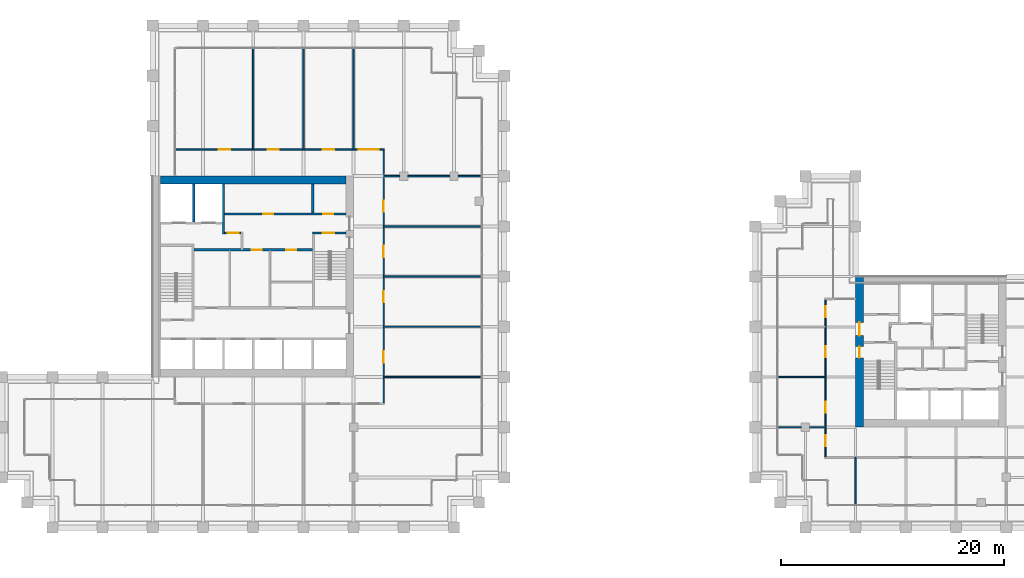
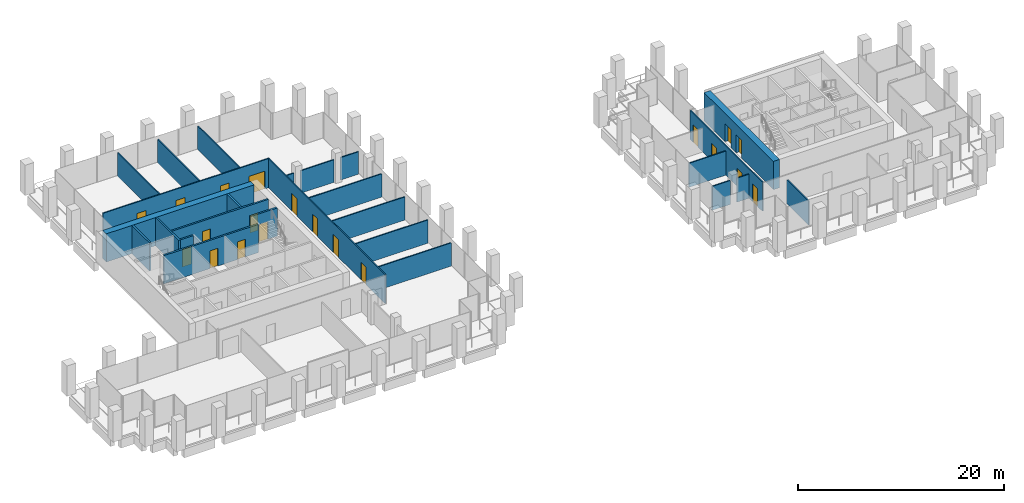
# One storey, part 42 of 47: 26 walls, 20 doors, 20 openings.
"""IFC4 building model written with IfcOpenShell, lengths in metres."""

from ifc_helpers import new_model, si_unit, direction, frame, frame_2d, origin, place, context, subcontext, project, spatial, rectangle, extrude, material, layer, layer_set, type_object, element, fill, save


model = new_model("IFC4")

# Units and contexts
model_context = context("Model", 3, precision=1e-05, world=origin(), true_north=direction((0.0, 1.0)))
body_context = subcontext(model_context, "Body", "Model", "MODEL_VIEW")
ifc_project = project(units=[si_unit("LENGTHUNIT", "METRE"), si_unit("AREAUNIT", "SQUARE_METRE"), si_unit("VOLUMEUNIT", "CUBIC_METRE"), si_unit("PLANEANGLEUNIT", "RADIAN"), si_unit("MASSUNIT", "GRAM", prefix="KILO")], contexts=[model_context])

# Site, building, storey
site_placement = place(None, origin())
site = spatial("IfcSite", under=ifc_project, at=site_placement, CompositionType="ELEMENT")
building_placement = place(site_placement, origin())
building = spatial("IfcBuilding", under=site, at=building_placement, Name="Altepetl Exchange Towers", CompositionType="ELEMENT")
storey_placement = place(building_placement, frame((0.0, 0.0, 95.60009765625)))
storey = spatial("IfcBuildingStorey", under=building, at=storey_placement, Name="L23", CompositionType="ELEMENT", Elevation=95.60009765625)

# Wall
ifc_material_1 = material(Name="Concrete C70/85", Category="concrete")
ifc_layer_1 = layer(ifc_material_1, 0.699951171875)
ifc_layer_set_1 = layer_set([ifc_layer_1], Name="Concrete C70/85")
wall_type_1 = type_object("IfcWallType", Name="Core wall 700 reinforced concrete", PredefinedType="SHEAR", material=ifc_layer_set_1)
wall_1_placement = place(storey_placement, frame((41.199951171875, 58.14990234375, 0.0)))
element("IfcWall", 1, at=wall_1_placement, inside=storey, type_object=wall_type_1, Name="wall:A:L23:K-coreN", PredefinedType="SHEAR", context=body_context, shape_type="SweptSolid", body=[
    extrude(rectangle(XDim=16.60009765625, YDim=0.699951171875, at=frame_2d((8.300048828125, 0.0))), origin(), (0.0, 0.0, 1.0), 3.349853515625),
])

# Wall, openings, doors
wall_2_placement = place(storey_placement, frame((103.85009765625, 36.0, 0.0), z_axis=(0.0, 0.0, 1.0), x_axis=(0.0, 1.0, 0.0)))
wall_2 = element("IfcWall", 2, at=wall_2_placement, inside=storey, type_object=wall_type_1, Name="wall:B:L23:K-coreW", PredefinedType="SHEAR", context=body_context, shape_type="SweptSolid", body=[
    extrude(rectangle(XDim=13.5, YDim=0.699951171875, at=frame_2d((6.75, 0.0))), origin(), (0.0, 0.0, 1.0), 3.349853515625),
])
opening_1_placement = place(wall_2_placement, frame((8.199951171875, 0.0, 0.0)))
opening_1 = element("IfcOpeningElement", 3, at=opening_1_placement, cuts=wall_2, Name="Opening L23.B60", PredefinedType="OPENING", context=body_context, shape_type="SweptSolid", body=[
    extrude(rectangle(XDim=1.199951171875, YDim=2.10009765625, at=frame_2d((0.60009765625, 1.050048828125))), frame((0.0, 0.35986328125, 0.0), z_axis=(0.0, -1.0, 0.0), x_axis=(1.0, 0.0, 0.0)), (0.0, 0.0, 1.0), 0.719970703125),
])
opening_2_placement = place(wall_2_placement, frame((6.22509765625, 0.0, 0.0)))
opening_2 = element("IfcOpeningElement", 4, at=opening_2_placement, cuts=wall_2, Name="Opening L23.B63", PredefinedType="OPENING", context=body_context, shape_type="SweptSolid", body=[
    extrude(rectangle(XDim=1.0, YDim=2.10009765625, at=frame_2d((0.5, 1.050048828125))), frame((0.0, 0.35986328125, 0.0), z_axis=(0.0, -1.0, 0.0), x_axis=(1.0, 0.0, 0.0)), (0.0, 0.0, 1.0), 0.719970703125),
])
ifc_material_2 = material(Name="Steel and timber fire door", Category="steel")
door_type_1 = type_object("IfcDoorType", Name="Fire door 1000 x 2100 stair and lobby", OperationType="SINGLE_SWING_LEFT", PredefinedType="DOOR", material=ifc_material_2)
door_1_placement = place(opening_2_placement, frame((1.0, 0.0, 0.0), x_axis=(-1.0, 0.0, 0.0)))
door_1 = element("IfcDoor", 5, at=door_1_placement, inside=storey, type_object=door_type_1, Name="door:B:L23:K-dS1x", OperationType="SINGLE_SWING_RIGHT", OverallHeight=2.10009765625, OverallWidth=1.0, PredefinedType="DOOR", context=body_context, shape_type="SweptSolid", body=[
    extrude(rectangle(XDim=1.0, YDim=2.10009765625, at=frame_2d((0.5, 1.050048828125))), frame((0.0, 0.02490234375, 0.0), z_axis=(0.0, -1.0, 0.0), x_axis=(1.0, 0.0, 0.0)), (0.0, 0.0, 1.0), 0.050048828125),
])
fill(opening_2, door_1)
door_type_2 = type_object("IfcDoorType", Name="Fire door 1200 x 2100 lobby entry", OperationType="SINGLE_SWING_LEFT", PredefinedType="DOOR", material=ifc_material_2)
door_2_placement = place(opening_1_placement, frame((1.199951171875, 0.0, 0.0), x_axis=(-1.0, 0.0, 0.0)))
door_2 = element("IfcDoor", 6, at=door_2_placement, inside=storey, type_object=door_type_2, Name="door:B:L23:K-dLNW", OperationType="SINGLE_SWING_RIGHT", OverallHeight=2.10009765625, OverallWidth=1.199951171875, PredefinedType="DOOR", context=body_context, shape_type="SweptSolid", body=[
    extrude(rectangle(XDim=1.199951171875, YDim=2.10009765625, at=frame_2d((0.60009765625, 1.050048828125))), frame((0.0, 0.02490234375, 0.0), z_axis=(0.0, -1.0, 0.0), x_axis=(1.0, 0.0, 0.0)), (0.0, 0.0, 1.0), 0.050048828125),
])
fill(opening_1, door_2)

# Wall, opening, door
ifc_material_3 = material(Name="Concrete blockwork", Category="masonry")
ifc_layer_2 = layer(ifc_material_3, 0.199951171875)
ifc_layer_set_2 = layer_set([ifc_layer_2], Name="Concrete blockwork")
wall_type_2 = type_object("IfcWallType", Name="Lobby wall 200 blockwork", PredefinedType="PARTITIONING", material=ifc_layer_set_2)
wall_3_placement = place(storey_placement, frame((46.933349609375, 53.39990234375, 0.0)))
wall_3 = element("IfcWall", 7, at=wall_3_placement, inside=storey, type_object=wall_type_2, Name="wall:A:L23:K-ffN", PredefinedType="PARTITIONING", context=body_context, shape_type="SweptSolid", body=[
    extrude(rectangle(XDim=1.466552734375, YDim=0.199951171875, at=frame_2d((0.7333984375, 0.0))), origin(), (0.0, 0.0, 1.0), 3.349853515625),
])
opening_3_placement = place(wall_3_placement, frame((0.2666015625, 0.0, 0.0)))
opening_3 = element("IfcOpeningElement", 8, at=opening_3_placement, cuts=wall_3, Name="Opening L23.A65", PredefinedType="OPENING", context=body_context, shape_type="SweptSolid", body=[
    extrude(rectangle(XDim=1.0, YDim=2.10009765625, at=frame_2d((0.5, 1.050048828125))), frame((0.0, 0.10986328125, 0.0), z_axis=(0.0, -1.0, 0.0), x_axis=(1.0, 0.0, 0.0)), (0.0, 0.0, 1.0), 0.219970703125),
])
door_3_placement = place(opening_3_placement, frame((1.0, 0.0, 0.0), x_axis=(-1.0, 0.0, 0.0)))
door_3 = element("IfcDoor", 9, at=door_3_placement, inside=storey, type_object=door_type_1, Name="door:A:L23:K-dffN", OperationType="SINGLE_SWING_LEFT", OverallHeight=2.10009765625, OverallWidth=1.0, PredefinedType="DOOR", context=body_context, shape_type="SweptSolid", body=[
    extrude(rectangle(XDim=1.0, YDim=2.10009765625, at=frame_2d((0.5, 1.050048828125))), frame((0.0, 0.02490234375, 0.0), z_axis=(0.0, -1.0, 0.0), x_axis=(1.0, 0.0, 0.0)), (0.0, 0.0, 1.0), 0.050048828125),
])
fill(opening_3, door_3)

# Wall, openings, doors
wall_4_placement = place(storey_placement, frame((44.199951171875, 51.89990234375, 0.0)))
wall_4 = element("IfcWall", 10, at=wall_4_placement, inside=storey, type_object=wall_type_2, Name="wall:A:L23:K-zoneN", PredefinedType="PARTITIONING", context=body_context, shape_type="SweptSolid", body=[
    extrude(rectangle(XDim=10.60009765625, YDim=0.199951171875, at=frame_2d((5.300048828125, 0.0))), origin(), (0.0, 0.0, 1.0), 3.349853515625),
])
opening_4_placement = place(wall_4_placement, frame((5.175048828125, 0.0, 0.0)))
opening_4 = element("IfcOpeningElement", 11, at=opening_4_placement, cuts=wall_4, Name="Opening L23.A69", PredefinedType="OPENING", context=body_context, shape_type="SweptSolid", body=[
    extrude(rectangle(XDim=0.89990234375, YDim=2.10009765625, at=frame_2d((0.449951171875, 1.050048828125))), frame((0.0, 0.10986328125, 0.0), z_axis=(0.0, -1.0, 0.0), x_axis=(1.0, 0.0, 0.0)), (0.0, 0.0, 1.0), 0.219970703125),
])
opening_5_placement = place(wall_4_placement, frame((8.25, 0.0, 0.0)))
opening_5 = element("IfcOpeningElement", 12, at=opening_5_placement, cuts=wall_4, Name="Opening L23.A71", PredefinedType="OPENING", context=body_context, shape_type="SweptSolid", body=[
    extrude(rectangle(XDim=0.89990234375, YDim=2.10009765625, at=frame_2d((0.449951171875, 1.050048828125))), frame((0.0, 0.10986328125, 0.0), z_axis=(0.0, -1.0, 0.0), x_axis=(1.0, 0.0, 0.0)), (0.0, 0.0, 1.0), 0.219970703125),
])
door_type_3 = type_object("IfcDoorType", Name="Fire door 900 x 2100 service room", OperationType="SINGLE_SWING_LEFT", PredefinedType="DOOR", material=ifc_material_2)
door_4_placement = place(opening_4_placement, frame((0.89990234375, 0.0, 0.0), x_axis=(-1.0, 0.0, 0.0)))
door_4 = element("IfcDoor", 13, at=door_4_placement, inside=storey, type_object=door_type_3, Name="door:A:L23:K-dz2", OperationType="SINGLE_SWING_LEFT", OverallHeight=2.10009765625, OverallWidth=0.89990234375, PredefinedType="DOOR", context=body_context, shape_type="SweptSolid", body=[
    extrude(rectangle(XDim=0.89990234375, YDim=2.10009765625, at=frame_2d((0.449951171875, 1.050048828125))), frame((0.0, 0.02490234375, 0.0), z_axis=(0.0, -1.0, 0.0), x_axis=(1.0, 0.0, 0.0)), (0.0, 0.0, 1.0), 0.050048828125),
])
fill(opening_4, door_4)
door_5_placement = place(opening_5_placement, frame((0.89990234375, 0.0, 0.0), x_axis=(-1.0, 0.0, 0.0)))
door_5 = element("IfcDoor", 14, at=door_5_placement, inside=storey, type_object=door_type_3, Name="door:A:L23:K-dz4", OperationType="SINGLE_SWING_LEFT", OverallHeight=2.10009765625, OverallWidth=0.89990234375, PredefinedType="DOOR", context=body_context, shape_type="SweptSolid", body=[
    extrude(rectangle(XDim=0.89990234375, YDim=2.10009765625, at=frame_2d((0.449951171875, 1.050048828125))), frame((0.0, 0.02490234375, 0.0), z_axis=(0.0, -1.0, 0.0), x_axis=(1.0, 0.0, 0.0)), (0.0, 0.0, 1.0), 0.050048828125),
])
fill(opening_5, door_5)

# Walls
ifc_material_4 = material(Name="Timber panels on aluminium track", Category="wood")
ifc_layer_3 = layer(ifc_material_4, 0.125)
ifc_layer_set_3 = layer_set([ifc_layer_3], Name="Timber panels on aluminium track")
wall_type_3 = type_object("IfcWallType", Name="Operable acoustic partition 125", PredefinedType="MOVABLE", material=ifc_layer_set_3)
for number, where, name in (
    (15, (61.199951171875, 45.0, 0.0), "wall:A:L23:P03"),
    (16, (61.199951171875, 49.5, 0.0), "wall:A:L23:P04"),
    (17, (61.199951171875, 54.0, 0.0), "wall:A:L23:P05"),
):
    element("IfcWall", number, at=place(storey_placement, frame(where)), inside=storey, type_object=wall_type_3, Name=name, PredefinedType="MOVABLE", context=body_context, shape_type="SweptSolid", body=[
        extrude(rectangle(XDim=8.699951171875, YDim=0.125, at=frame_2d((4.35009765625, 0.0))), origin(), (0.0, 0.0, 1.0), 2.765869140625),
    ])
wall_5_placement = place(storey_placement, frame((96.60009765625, 40.5, 0.0)))
element("IfcWall", 18, at=wall_5_placement, inside=storey, type_object=wall_type_3, Name="wall:B:L23:P05", PredefinedType="MOVABLE", context=body_context, shape_type="SweptSolid", body=[
    extrude(rectangle(XDim=4.199951171875, YDim=0.125, at=frame_2d((2.10009765625, 0.0))), origin(), (0.0, 0.0, 1.0), 2.850830078125),
])
ifc_material_5 = material(Name="Gypsum board on steel studs", Category="steel")
ifc_layer_4 = layer(ifc_material_5, 0.125)
ifc_layer_set_4 = layer_set([ifc_layer_4], Name="Gypsum board on steel studs")
wall_type_4 = type_object("IfcWallType", Name="Partition 125 gypsum board on steel studs", PredefinedType="PARTITIONING", material=ifc_layer_set_4)
wall_6_placement = place(storey_placement, frame((61.199951171875, 40.5, 0.0)))
element("IfcWall", 19, at=wall_6_placement, inside=storey, type_object=wall_type_4, Name="wall:A:L23:P02", PredefinedType="PARTITIONING", context=body_context, shape_type="SweptSolid", body=[
    extrude(rectangle(XDim=8.699951171875, YDim=0.125, at=frame_2d((4.35009765625, 0.0))), origin(), (0.0, 0.0, 1.0), 2.765869140625),
])
wall_7_placement = place(storey_placement, frame((61.199951171875, 58.5, 0.0)))
element("IfcWall", 20, at=wall_7_placement, inside=storey, type_object=wall_type_4, Name="wall:A:L23:P06", PredefinedType="PARTITIONING", context=body_context, shape_type="SweptSolid", body=[
    extrude(rectangle(XDim=1.425048828125, YDim=0.125, at=frame_2d((0.71240234375, 0.0))), origin(), (0.0, 0.0, 1.0), 2.67578125),
])
wall_8_placement = place(storey_placement, frame((63.375, 58.5, 0.0)))
element("IfcWall", 21, at=wall_8_placement, inside=storey, type_object=wall_type_4, Name="wall:A:L23:P07", PredefinedType="PARTITIONING", context=body_context, shape_type="SweptSolid", body=[
    extrude(rectangle(XDim=3.75, YDim=0.125, at=frame_2d((1.875, 0.0))), origin(), (0.0, 0.0, 1.0), 2.67578125),
])
wall_9_placement = place(storey_placement, frame((67.875, 58.5, 0.0)))
element("IfcWall", 22, at=wall_9_placement, inside=storey, type_object=wall_type_4, Name="wall:A:L23:P08", PredefinedType="PARTITIONING", context=body_context, shape_type="SweptSolid", body=[
    extrude(rectangle(XDim=2.02490234375, YDim=0.125, at=frame_2d((1.012451171875, 0.0))), origin(), (0.0, 0.0, 1.0), 2.67578125),
])

# Wall, openings, doors
wall_10_placement = place(storey_placement, frame((42.60009765625, 60.89990234375, 0.0)))
wall_10 = element("IfcWall", 23, at=wall_10_placement, inside=storey, type_object=wall_type_4, Name="wall:A:L23:P09", PredefinedType="PARTITIONING", context=body_context, shape_type="SweptSolid", body=[
    extrude(rectangle(XDim=18.662353515625, YDim=0.125, at=frame_2d((9.3310546875, 0.0))), origin(), (0.0, 0.0, 1.0), 3.449951171875),
])
opening_6_placement = place(wall_10_placement, frame((16.35009765625, 0.0, 0.0)))
opening_6 = element("IfcOpeningElement", 24, at=opening_6_placement, cuts=wall_10, Name="Opening L23.A09", PredefinedType="OPENING", context=body_context, shape_type="SweptSolid", body=[
    extrude(rectangle(XDim=1.800048828125, YDim=2.10009765625, at=frame_2d((0.89990234375, 1.050048828125))), frame((0.0, 0.072509765625, 0.0), z_axis=(0.0, -1.0, 0.0), x_axis=(1.0, 0.0, 0.0)), (0.0, 0.0, 1.0), 0.14501953125),
])
opening_7_placement = place(wall_10_placement, frame((13.14990234375, 0.0, 0.0)))
opening_7 = element("IfcOpeningElement", 25, at=opening_7_placement, cuts=wall_10, Name="Opening L23.A10", PredefinedType="OPENING", context=body_context, shape_type="SweptSolid", body=[
    extrude(rectangle(XDim=1.0, YDim=2.10009765625, at=frame_2d((0.5, 1.050048828125))), frame((0.0, 0.072509765625, 0.0), z_axis=(0.0, -1.0, 0.0), x_axis=(1.0, 0.0, 0.0)), (0.0, 0.0, 1.0), 0.14501953125),
])
opening_8_placement = place(wall_10_placement, frame((8.195068359375, 0.0, 0.0)))
opening_8 = element("IfcOpeningElement", 26, at=opening_8_placement, cuts=wall_10, Name="Opening L23.A11", PredefinedType="OPENING", context=body_context, shape_type="SweptSolid", body=[
    extrude(rectangle(XDim=1.0, YDim=2.10009765625, at=frame_2d((0.5, 1.050048828125))), frame((0.0, 0.072509765625, 0.0), z_axis=(0.0, -1.0, 0.0), x_axis=(1.0, 0.0, 0.0)), (0.0, 0.0, 1.0), 0.14501953125),
])
opening_9_placement = place(wall_10_placement, frame((3.824951171875, 0.0, 0.0)))
opening_9 = element("IfcOpeningElement", 27, at=opening_9_placement, cuts=wall_10, Name="Opening L23.A12", PredefinedType="OPENING", context=body_context, shape_type="SweptSolid", body=[
    extrude(rectangle(XDim=1.0, YDim=2.10009765625, at=frame_2d((0.5, 1.050048828125))), frame((0.0, 0.072509765625, 0.0), z_axis=(0.0, -1.0, 0.0), x_axis=(1.0, 0.0, 0.0)), (0.0, 0.0, 1.0), 0.14501953125),
])
door_type_4 = type_object("IfcDoorType", Name="Fire door 1000 x 2100 single leaf", OperationType="SINGLE_SWING_LEFT", PredefinedType="DOOR", material=ifc_material_2)
door_6_placement = place(opening_7_placement, origin())
door_6 = element("IfcDoor", 28, at=door_6_placement, inside=storey, type_object=door_type_4, Name="door:A:L23:10", OperationType="SINGLE_SWING_LEFT", OverallHeight=2.10009765625, OverallWidth=1.0, PredefinedType="DOOR", context=body_context, shape_type="SweptSolid", body=[
    extrude(rectangle(XDim=1.0, YDim=2.10009765625, at=frame_2d((0.5, 1.050048828125))), frame((0.0, 0.02490234375, 0.0), z_axis=(0.0, -1.0, 0.0), x_axis=(1.0, 0.0, 0.0)), (0.0, 0.0, 1.0), 0.050048828125),
])
fill(opening_7, door_6)
door_7_placement = place(opening_8_placement, origin())
door_7 = element("IfcDoor", 29, at=door_7_placement, inside=storey, type_object=door_type_4, Name="door:A:L23:11", OperationType="SINGLE_SWING_RIGHT", OverallHeight=2.10009765625, OverallWidth=1.0, PredefinedType="DOOR", context=body_context, shape_type="SweptSolid", body=[
    extrude(rectangle(XDim=1.0, YDim=2.10009765625, at=frame_2d((0.5, 1.050048828125))), frame((0.0, 0.02490234375, 0.0), z_axis=(0.0, -1.0, 0.0), x_axis=(1.0, 0.0, 0.0)), (0.0, 0.0, 1.0), 0.050048828125),
])
fill(opening_8, door_7)
door_8_placement = place(opening_9_placement, origin())
door_8 = element("IfcDoor", 30, at=door_8_placement, inside=storey, type_object=door_type_4, Name="door:A:L23:12", OperationType="SINGLE_SWING_LEFT", OverallHeight=2.10009765625, OverallWidth=1.0, PredefinedType="DOOR", context=body_context, shape_type="SweptSolid", body=[
    extrude(rectangle(XDim=1.0, YDim=2.10009765625, at=frame_2d((0.5, 1.050048828125))), frame((0.0, 0.02490234375, 0.0), z_axis=(0.0, -1.0, 0.0), x_axis=(1.0, 0.0, 0.0)), (0.0, 0.0, 1.0), 0.050048828125),
])
fill(opening_9, door_8)
door_type_5 = type_object("IfcDoorType", Name="Fire door 1800 x 2100 double leaf", OperationType="DOUBLE_DOOR_SINGLE_SWING", PredefinedType="DOOR", material=ifc_material_2)
door_9_placement = place(opening_6_placement, origin())
door_9 = element("IfcDoor", 31, at=door_9_placement, inside=storey, type_object=door_type_5, Name="door:A:L23:09", OperationType="DOUBLE_DOOR_SINGLE_SWING", OverallHeight=2.10009765625, OverallWidth=1.800048828125, PredefinedType="DOOR", context=body_context, shape_type="SweptSolid", body=[
    extrude(rectangle(XDim=1.800048828125, YDim=2.10009765625, at=frame_2d((0.89990234375, 1.050048828125))), frame((0.0, 0.02490234375, 0.0), z_axis=(0.0, -1.0, 0.0), x_axis=(1.0, 0.0, 0.0)), (0.0, 0.0, 1.0), 0.050048828125),
])
fill(opening_6, door_9)

# Walls
for number, where, z_axis, x_axis, name in (
    (32, (49.5, 60.89990234375, 0.0), (0.0, 0.0, 1.0), (0.0, 1.0, 0.0), "wall:A:L23:P12"),
    (33, (54.0, 60.89990234375, 0.0), (0.0, 0.0, 1.0), (0.0, 1.0, 0.0), "wall:A:L23:P14"),
    (34, (58.5, 60.89990234375, 0.0), (0.0, 0.0, 1.0), (0.0, 1.0, 0.0), "wall:A:L23:P18"),
):
    element("IfcWall", number, at=place(storey_placement, frame(where, z_axis=z_axis, x_axis=x_axis)), inside=storey, type_object=wall_type_4, Name=name, PredefinedType="PARTITIONING", context=body_context, shape_type="SweptSolid", body=[
        extrude(rectangle(XDim=9.0, YDim=0.125, at=frame_2d((4.5, 0.0))), origin(), (0.0, 0.0, 1.0), 2.765869140625),
    ])

# Wall, openings, doors
wall_11_placement = place(storey_placement, frame((61.199951171875, 38.16259765625, 0.0), z_axis=(0.0, 0.0, 1.0), x_axis=(0.0, 1.0, 0.0)))
wall_11 = element("IfcWall", 35, at=wall_11_placement, inside=storey, type_object=wall_type_4, Name="wall:A:L23:P19", PredefinedType="PARTITIONING", context=body_context, shape_type="SweptSolid", body=[
    extrude(rectangle(XDim=22.6748046875, YDim=0.125, at=frame_2d((11.33740234375, 0.0))), origin(), (0.0, 0.0, 1.0), 3.449951171875),
])
opening_10_placement = place(wall_11_placement, frame((3.632568359375, 0.0, 0.0)))
opening_10 = element("IfcOpeningElement", 36, at=opening_10_placement, cuts=wall_11, Name="Opening L23.A05", PredefinedType="OPENING", context=body_context, shape_type="SweptSolid", body=[
    extrude(rectangle(XDim=1.0, YDim=2.10009765625, at=frame_2d((0.5, 1.050048828125))), frame((0.0, 0.072509765625, 0.0), z_axis=(0.0, -1.0, 0.0), x_axis=(1.0, 0.0, 0.0)), (0.0, 0.0, 1.0), 0.14501953125),
])
opening_11_placement = place(wall_11_placement, frame((9.04248046875, 0.0, 0.0)))
opening_11 = element("IfcOpeningElement", 37, at=opening_11_placement, cuts=wall_11, Name="Opening L23.A06", PredefinedType="OPENING", context=body_context, shape_type="SweptSolid", body=[
    extrude(rectangle(XDim=1.0, YDim=2.10009765625, at=frame_2d((0.5, 1.050048828125))), frame((0.0, 0.072509765625, 0.0), z_axis=(0.0, -1.0, 0.0), x_axis=(1.0, 0.0, 0.0)), (0.0, 0.0, 1.0), 0.14501953125),
])
opening_12_placement = place(wall_11_placement, frame((13.08740234375, 0.0, 0.0)))
opening_12 = element("IfcOpeningElement", 38, at=opening_12_placement, cuts=wall_11, Name="Opening L23.A07", PredefinedType="OPENING", context=body_context, shape_type="SweptSolid", body=[
    extrude(rectangle(XDim=1.0, YDim=2.10009765625, at=frame_2d((0.5, 1.050048828125))), frame((0.0, 0.072509765625, 0.0), z_axis=(0.0, -1.0, 0.0), x_axis=(1.0, 0.0, 0.0)), (0.0, 0.0, 1.0), 0.14501953125),
])
opening_13_placement = place(wall_11_placement, frame((17.132568359375, 0.0, 0.0)))
opening_13 = element("IfcOpeningElement", 39, at=opening_13_placement, cuts=wall_11, Name="Opening L23.A08", PredefinedType="OPENING", context=body_context, shape_type="SweptSolid", body=[
    extrude(rectangle(XDim=1.0, YDim=2.10009765625, at=frame_2d((0.5, 1.050048828125))), frame((0.0, 0.072509765625, 0.0), z_axis=(0.0, -1.0, 0.0), x_axis=(1.0, 0.0, 0.0)), (0.0, 0.0, 1.0), 0.14501953125),
])
door_10_placement = place(opening_10_placement, frame((1.0, 0.0, 0.0), x_axis=(-1.0, 0.0, 0.0)))
door_10 = element("IfcDoor", 40, at=door_10_placement, inside=storey, type_object=door_type_4, Name="door:A:L23:05", OperationType="SINGLE_SWING_LEFT", OverallHeight=2.10009765625, OverallWidth=1.0, PredefinedType="DOOR", context=body_context, shape_type="SweptSolid", body=[
    extrude(rectangle(XDim=1.0, YDim=2.10009765625, at=frame_2d((0.5, 1.050048828125))), frame((0.0, 0.02490234375, 0.0), z_axis=(0.0, -1.0, 0.0), x_axis=(1.0, 0.0, 0.0)), (0.0, 0.0, 1.0), 0.050048828125),
])
fill(opening_10, door_10)
door_11_placement = place(opening_11_placement, frame((1.0, 0.0, 0.0), x_axis=(-1.0, 0.0, 0.0)))
door_11 = element("IfcDoor", 41, at=door_11_placement, inside=storey, type_object=door_type_4, Name="door:A:L23:06", OperationType="SINGLE_SWING_RIGHT", OverallHeight=2.10009765625, OverallWidth=1.0, PredefinedType="DOOR", context=body_context, shape_type="SweptSolid", body=[
    extrude(rectangle(XDim=1.0, YDim=2.10009765625, at=frame_2d((0.5, 1.050048828125))), frame((0.0, 0.02490234375, 0.0), z_axis=(0.0, -1.0, 0.0), x_axis=(1.0, 0.0, 0.0)), (0.0, 0.0, 1.0), 0.050048828125),
])
fill(opening_11, door_11)
door_12_placement = place(opening_12_placement, frame((1.0, 0.0, 0.0), x_axis=(-1.0, 0.0, 0.0)))
door_12 = element("IfcDoor", 42, at=door_12_placement, inside=storey, type_object=door_type_4, Name="door:A:L23:07", OperationType="SINGLE_SWING_LEFT", OverallHeight=2.10009765625, OverallWidth=1.0, PredefinedType="DOOR", context=body_context, shape_type="SweptSolid", body=[
    extrude(rectangle(XDim=1.0, YDim=2.10009765625, at=frame_2d((0.5, 1.050048828125))), frame((0.0, 0.02490234375, 0.0), z_axis=(0.0, -1.0, 0.0), x_axis=(1.0, 0.0, 0.0)), (0.0, 0.0, 1.0), 0.050048828125),
])
fill(opening_12, door_12)
door_13_placement = place(opening_13_placement, frame((1.0, 0.0, 0.0), x_axis=(-1.0, 0.0, 0.0)))
door_13 = element("IfcDoor", 43, at=door_13_placement, inside=storey, type_object=door_type_4, Name="door:A:L23:08", OperationType="SINGLE_SWING_RIGHT", OverallHeight=2.10009765625, OverallWidth=1.0, PredefinedType="DOOR", context=body_context, shape_type="SweptSolid", body=[
    extrude(rectangle(XDim=1.0, YDim=2.10009765625, at=frame_2d((0.5, 1.050048828125))), frame((0.0, 0.02490234375, 0.0), z_axis=(0.0, -1.0, 0.0), x_axis=(1.0, 0.0, 0.0)), (0.0, 0.0, 1.0), 0.050048828125),
])
fill(opening_13, door_13)

# Walls
wall_12_placement = place(storey_placement, frame((96.60009765625, 36.0, 0.0)))
element("IfcWall", 44, at=wall_12_placement, inside=storey, type_object=wall_type_4, Name="wall:B:L23:P02", PredefinedType="PARTITIONING", context=body_context, shape_type="SweptSolid", body=[
    extrude(rectangle(XDim=2.02490234375, YDim=0.125, at=frame_2d((1.012451171875, 0.0))), origin(), (0.0, 0.0, 1.0), 2.841796875),
])
wall_13_placement = place(storey_placement, frame((99.375, 36.0, 0.0)))
element("IfcWall", 45, at=wall_13_placement, inside=storey, type_object=wall_type_4, Name="wall:B:L23:P03", PredefinedType="PARTITIONING", context=body_context, shape_type="SweptSolid", body=[
    extrude(rectangle(XDim=1.425048828125, YDim=0.125, at=frame_2d((0.71240234375, 0.0))), origin(), (0.0, 0.0, 1.0), 2.841796875),
])

# Wall, openings, doors
wall_14_placement = place(storey_placement, frame((100.800048828125, 33.362548828125, 0.0), z_axis=(0.0, 0.0, 1.0), x_axis=(0.0, 1.0, 0.0)))
wall_14 = element("IfcWall", 46, at=wall_14_placement, inside=storey, type_object=wall_type_4, Name="wall:B:L23:P10", PredefinedType="PARTITIONING", context=body_context, shape_type="SweptSolid", body=[
    extrude(rectangle(XDim=14.074951171875, YDim=0.125, at=frame_2d((7.03759765625, 0.0))), origin(), (0.0, 0.0, 1.0), 3.449951171875),
])
opening_14_placement = place(wall_14_placement, frame((8.887451171875, 0.0, 0.0)))
opening_14 = element("IfcOpeningElement", 47, at=opening_14_placement, cuts=wall_14, Name="Opening L23.B01", PredefinedType="OPENING", context=body_context, shape_type="SweptSolid", body=[
    extrude(rectangle(XDim=1.0, YDim=2.10009765625, at=frame_2d((0.5, 1.050048828125))), frame((0.0, 0.072509765625, 0.0), z_axis=(0.0, -1.0, 0.0), x_axis=(1.0, 0.0, 0.0)), (0.0, 0.0, 1.0), 0.14501953125),
])
opening_15_placement = place(wall_14_placement, frame((3.9326171875, 0.0, 0.0)))
opening_15 = element("IfcOpeningElement", 48, at=opening_15_placement, cuts=wall_14, Name="Opening L23.B02", PredefinedType="OPENING", context=body_context, shape_type="SweptSolid", body=[
    extrude(rectangle(XDim=1.0, YDim=2.10009765625, at=frame_2d((0.5, 1.050048828125))), frame((0.0, 0.072509765625, 0.0), z_axis=(0.0, -1.0, 0.0), x_axis=(1.0, 0.0, 0.0)), (0.0, 0.0, 1.0), 0.14501953125),
])
opening_16_placement = place(wall_14_placement, frame((0.927490234375, 0.0, 0.0)))
opening_16 = element("IfcOpeningElement", 49, at=opening_16_placement, cuts=wall_14, Name="Opening L23.B03", PredefinedType="OPENING", context=body_context, shape_type="SweptSolid", body=[
    extrude(rectangle(XDim=1.0, YDim=2.10009765625, at=frame_2d((0.5, 1.050048828125))), frame((0.0, 0.072509765625, 0.0), z_axis=(0.0, -1.0, 0.0), x_axis=(1.0, 0.0, 0.0)), (0.0, 0.0, 1.0), 0.14501953125),
])
opening_17_placement = place(wall_14_placement, frame((12.492431640625, 0.0, 0.0)))
opening_17 = element("IfcOpeningElement", 50, at=opening_17_placement, cuts=wall_14, Name="Opening L23.B09", PredefinedType="OPENING", context=body_context, shape_type="SweptSolid", body=[
    extrude(rectangle(XDim=1.0, YDim=2.10009765625, at=frame_2d((0.5, 1.050048828125))), frame((0.0, 0.072509765625, 0.0), z_axis=(0.0, -1.0, 0.0), x_axis=(1.0, 0.0, 0.0)), (0.0, 0.0, 1.0), 0.14501953125),
])
door_14_placement = place(opening_14_placement, origin())
door_14 = element("IfcDoor", 51, at=door_14_placement, inside=storey, type_object=door_type_4, Name="door:B:L23:01", OperationType="SINGLE_SWING_RIGHT", OverallHeight=2.10009765625, OverallWidth=1.0, PredefinedType="DOOR", context=body_context, shape_type="SweptSolid", body=[
    extrude(rectangle(XDim=1.0, YDim=2.10009765625, at=frame_2d((0.5, 1.050048828125))), frame((0.0, 0.02490234375, 0.0), z_axis=(0.0, -1.0, 0.0), x_axis=(1.0, 0.0, 0.0)), (0.0, 0.0, 1.0), 0.050048828125),
])
fill(opening_14, door_14)
door_15_placement = place(opening_15_placement, origin())
door_15 = element("IfcDoor", 52, at=door_15_placement, inside=storey, type_object=door_type_4, Name="door:B:L23:02", OperationType="SINGLE_SWING_LEFT", OverallHeight=2.10009765625, OverallWidth=1.0, PredefinedType="DOOR", context=body_context, shape_type="SweptSolid", body=[
    extrude(rectangle(XDim=1.0, YDim=2.10009765625, at=frame_2d((0.5, 1.050048828125))), frame((0.0, 0.02490234375, 0.0), z_axis=(0.0, -1.0, 0.0), x_axis=(1.0, 0.0, 0.0)), (0.0, 0.0, 1.0), 0.050048828125),
])
fill(opening_15, door_15)
door_16_placement = place(opening_16_placement, frame((1.0, 0.0, 0.0), x_axis=(-1.0, 0.0, 0.0)))
door_16 = element("IfcDoor", 53, at=door_16_placement, inside=storey, type_object=door_type_4, Name="door:B:L23:03", OperationType="SINGLE_SWING_RIGHT", OverallHeight=2.10009765625, OverallWidth=1.0, PredefinedType="DOOR", context=body_context, shape_type="SweptSolid", body=[
    extrude(rectangle(XDim=1.0, YDim=2.10009765625, at=frame_2d((0.5, 1.050048828125))), frame((0.0, 0.02490234375, 0.0), z_axis=(0.0, -1.0, 0.0), x_axis=(1.0, 0.0, 0.0)), (0.0, 0.0, 1.0), 0.050048828125),
])
fill(opening_16, door_16)
door_17_placement = place(opening_17_placement, origin())
door_17 = element("IfcDoor", 54, at=door_17_placement, inside=storey, type_object=door_type_4, Name="door:B:L23:09", OperationType="SINGLE_SWING_RIGHT", OverallHeight=2.10009765625, OverallWidth=1.0, PredefinedType="DOOR", context=body_context, shape_type="SweptSolid", body=[
    extrude(rectangle(XDim=1.0, YDim=2.10009765625, at=frame_2d((0.5, 1.050048828125))), frame((0.0, 0.02490234375, 0.0), z_axis=(0.0, -1.0, 0.0), x_axis=(1.0, 0.0, 0.0)), (0.0, 0.0, 1.0), 0.050048828125),
])
fill(opening_17, door_17)

# Walls
wall_15_placement = place(storey_placement, frame((103.5, 29.10009765625, 0.0), z_axis=(0.0, 0.0, 1.0), x_axis=(0.0, 1.0, 0.0)))
element("IfcWall", 55, at=wall_15_placement, inside=storey, type_object=wall_type_4, Name="wall:B:L23:P11", PredefinedType="PARTITIONING", context=body_context, shape_type="SweptSolid", body=[
    extrude(rectangle(XDim=4.199951171875, YDim=0.125, at=frame_2d((2.10009765625, 0.0))), origin(), (0.0, 0.0, 1.0), 2.850830078125),
])
ifc_material_6 = material(Name="Concrete C40/50", Category="concrete")
ifc_layer_5 = layer(ifc_material_6, 0.199951171875)
ifc_layer_set_5 = layer_set([ifc_layer_5], Name="Concrete C40/50")
wall_type_5 = type_object("IfcWallType", Name="Shaft wall 200 reinforced concrete", PredefinedType="SHEAR", material=ifc_layer_set_5)
wall_16_placement = place(storey_placement, frame((44.166748046875, 57.800048828125, 0.0), z_axis=(0.0, 0.0, 1.0), x_axis=(0.0, -1.0, 0.0)))
element("IfcWall", 56, at=wall_16_placement, inside=storey, type_object=wall_type_5, Name="wall:A:L23:K-divN1", PredefinedType="SHEAR", context=body_context, shape_type="SweptSolid", body=[
    extrude(rectangle(XDim=3.400146484375, YDim=0.199951171875, at=frame_2d((1.7001953125, 0.0))), origin(), (0.0, 0.0, 1.0), 3.349853515625),
])
wall_17_placement = place(storey_placement, frame((46.833251953125, 57.800048828125, 0.0), z_axis=(0.0, 0.0, 1.0), x_axis=(0.0, -1.0, 0.0)))
element("IfcWall", 57, at=wall_17_placement, inside=storey, type_object=wall_type_5, Name="wall:A:L23:K-divN2", PredefinedType="SHEAR", context=body_context, shape_type="SweptSolid", body=[
    extrude(rectangle(XDim=4.5, YDim=0.199951171875, at=frame_2d((2.25, 0.0))), origin(), (0.0, 0.0, 1.0), 3.349853515625),
])
wall_18_placement = place(storey_placement, frame((54.833251953125, 57.800048828125, 0.0), z_axis=(0.0, 0.0, 1.0), x_axis=(0.0, -1.0, 0.0)))
element("IfcWall", 58, at=wall_18_placement, inside=storey, type_object=wall_type_5, Name="wall:A:L23:K-divN5", PredefinedType="SHEAR", context=body_context, shape_type="SweptSolid", body=[
    extrude(rectangle(XDim=2.60009765625, YDim=0.199951171875, at=frame_2d((1.300048828125, 0.0))), origin(), (0.0, 0.0, 1.0), 3.349853515625),
])

# Wall, openings, doors
wall_19_placement = place(storey_placement, frame((46.933349609375, 55.10009765625, 0.0)))
wall_19 = element("IfcWall", 59, at=wall_19_placement, inside=storey, type_object=wall_type_5, Name="wall:A:L23:K-frontNb", PredefinedType="SHEAR", context=body_context, shape_type="SweptSolid", body=[
    extrude(rectangle(XDim=10.86669921875, YDim=0.199951171875, at=frame_2d((5.433349609375, 0.0))), origin(), (0.0, 0.0, 1.0), 3.349853515625),
])
opening_18_placement = place(wall_19_placement, frame((8.83349609375, 0.0, 0.0)))
opening_18 = element("IfcOpeningElement", 60, at=opening_18_placement, cuts=wall_19, Name="Opening L23.A66", PredefinedType="OPENING", context=body_context, shape_type="SweptSolid", body=[
    extrude(rectangle(XDim=0.89990234375, YDim=2.10009765625, at=frame_2d((0.449951171875, 1.050048828125))), frame((0.0, 0.10986328125, 0.0), z_axis=(0.0, -1.0, 0.0), x_axis=(1.0, 0.0, 0.0)), (0.0, 0.0, 1.0), 0.219970703125),
])
opening_19_placement = place(wall_19_placement, frame((3.449951171875, 0.0, 0.0)))
opening_19 = element("IfcOpeningElement", 61, at=opening_19_placement, cuts=wall_19, Name="Opening L23.A67", PredefinedType="OPENING", context=body_context, shape_type="SweptSolid", body=[
    extrude(rectangle(XDim=0.89990234375, YDim=2.10009765625, at=frame_2d((0.449951171875, 1.050048828125))), frame((0.0, 0.10986328125, 0.0), z_axis=(0.0, -1.0, 0.0), x_axis=(1.0, 0.0, 0.0)), (0.0, 0.0, 1.0), 0.219970703125),
])
door_18_placement = place(opening_18_placement, origin())
door_18 = element("IfcDoor", 62, at=door_18_placement, inside=storey, type_object=door_type_3, Name="door:A:L23:K-driser", OperationType="SINGLE_SWING_RIGHT", OverallHeight=2.10009765625, OverallWidth=0.89990234375, PredefinedType="DOOR", context=body_context, shape_type="SweptSolid", body=[
    extrude(rectangle(XDim=0.89990234375, YDim=2.10009765625, at=frame_2d((0.449951171875, 1.050048828125))), frame((0.0, 0.02490234375, 0.0), z_axis=(0.0, -1.0, 0.0), x_axis=(1.0, 0.0, 0.0)), (0.0, 0.0, 1.0), 0.050048828125),
])
fill(opening_18, door_18)
door_19_placement = place(opening_19_placement, origin())
door_19 = element("IfcDoor", 63, at=door_19_placement, inside=storey, type_object=door_type_3, Name="door:A:L23:K-dslotN2", OperationType="SINGLE_SWING_RIGHT", OverallHeight=2.10009765625, OverallWidth=0.89990234375, PredefinedType="DOOR", context=body_context, shape_type="SweptSolid", body=[
    extrude(rectangle(XDim=0.89990234375, YDim=2.10009765625, at=frame_2d((0.449951171875, 1.050048828125))), frame((0.0, 0.02490234375, 0.0), z_axis=(0.0, -1.0, 0.0), x_axis=(1.0, 0.0, 0.0)), (0.0, 0.0, 1.0), 0.050048828125),
])
fill(opening_19, door_19)

# Wall, opening, door
ifc_layer_6 = layer(ifc_material_6, 0.199951171875)
ifc_layer_set_6 = layer_set([ifc_layer_6], Name="Concrete C40/50")
wall_type_6 = type_object("IfcWallType", Name="Stair wall 200 reinforced concrete", PredefinedType="SHEAR", material=ifc_layer_set_6)
wall_20_placement = place(storey_placement, frame((54.800048828125, 53.39990234375, 0.0)))
wall_20 = element("IfcWall", 64, at=wall_20_placement, inside=storey, type_object=wall_type_6, Name="wall:A:L23:K-stS2N", PredefinedType="SHEAR", context=body_context, shape_type="SweptSolid", body=[
    extrude(rectangle(XDim=3.0, YDim=0.199951171875, at=frame_2d((1.5, 0.0))), origin(), (0.0, 0.0, 1.0), 3.349853515625),
])
opening_20_placement = place(wall_20_placement, frame((0.949951171875, 0.0, 0.0)))
opening_20 = element("IfcOpeningElement", 65, at=opening_20_placement, cuts=wall_20, Name="Opening L23.A63", PredefinedType="OPENING", context=body_context, shape_type="SweptSolid", body=[
    extrude(rectangle(XDim=1.0, YDim=2.10009765625, at=frame_2d((0.5, 1.050048828125))), frame((0.0, 0.10986328125, 0.0), z_axis=(0.0, -1.0, 0.0), x_axis=(1.0, 0.0, 0.0)), (0.0, 0.0, 1.0), 0.219970703125),
])
door_20_placement = place(opening_20_placement, frame((1.0, 0.0, 0.0), x_axis=(-1.0, 0.0, 0.0)))
door_20 = element("IfcDoor", 66, at=door_20_placement, inside=storey, type_object=door_type_1, Name="door:A:L23:K-dS2in", OperationType="SINGLE_SWING_LEFT", OverallHeight=2.10009765625, OverallWidth=1.0, PredefinedType="DOOR", context=body_context, shape_type="SweptSolid", body=[
    extrude(rectangle(XDim=1.0, YDim=2.10009765625, at=frame_2d((0.5, 1.050048828125))), frame((0.0, 0.02490234375, 0.0), z_axis=(0.0, -1.0, 0.0), x_axis=(1.0, 0.0, 0.0)), (0.0, 0.0, 1.0), 0.050048828125),
])
fill(opening_20, door_20)

save(model, "model.ifc")
